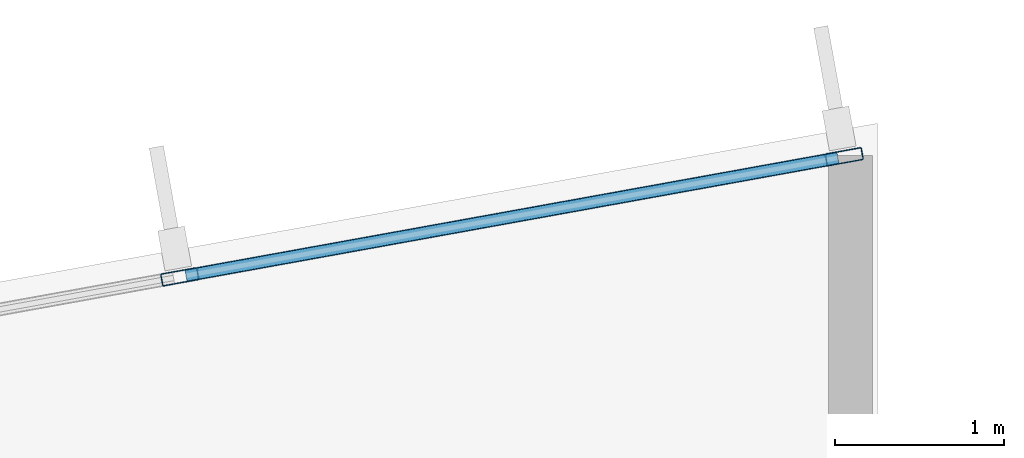
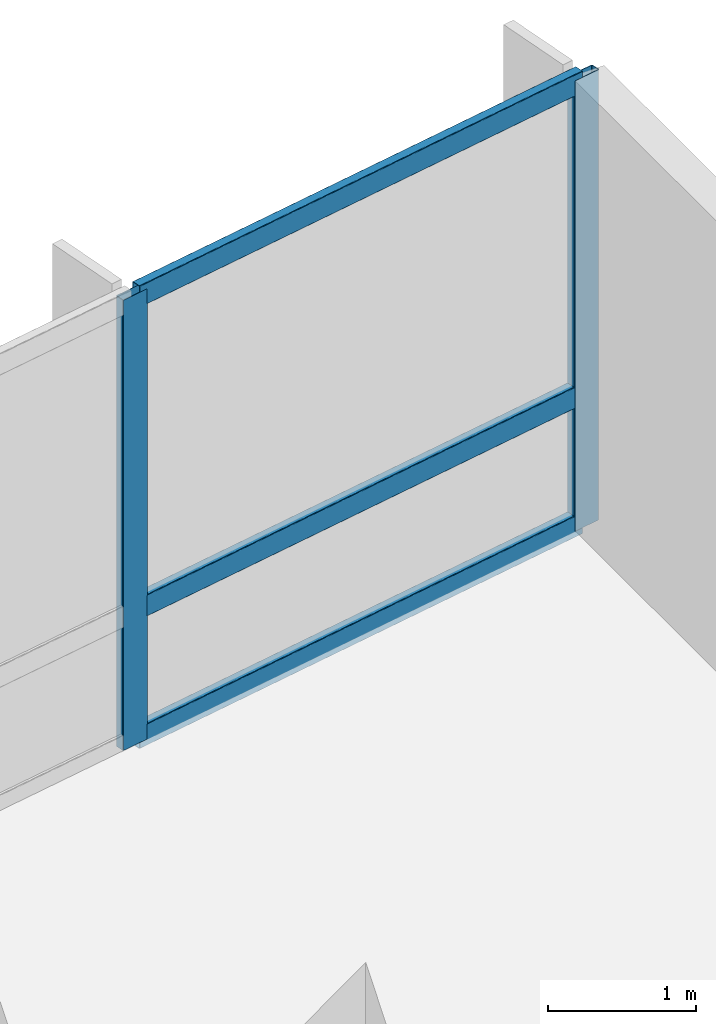
# One storey, part 11 of 21: 5 members, 1 element without a shape of its own.
"""IFC4 building model written with IfcOpenShell, lengths in metres."""

from ifc_helpers import new_model, si_unit, direction, frame, origin, origin_2d, place, context, subcontext, project, spatial, hollow_rectangle, extrude, material, layer, layer_set, material_profile, profile_set, type_object, element, aggregate, save


model = new_model("IFC4")

# Units and contexts
model_context = context("Model", 3, precision=1e-05, world=origin(), true_north=direction((0.0, 1.0)))
body_context = subcontext(model_context, "Body", "Model", "MODEL_VIEW")
ifc_project = project(units=[si_unit("LENGTHUNIT", "METRE"), si_unit("AREAUNIT", "SQUARE_METRE"), si_unit("VOLUMEUNIT", "CUBIC_METRE"), si_unit("PLANEANGLEUNIT", "RADIAN"), si_unit("MASSUNIT", "GRAM", prefix="KILO")], contexts=[model_context])

# Site, building, storey
site_placement = place(None, origin())
site = spatial("IfcSite", under=ifc_project, at=site_placement, CompositionType="ELEMENT")
building_placement = place(site_placement, origin())
building = spatial("IfcBuilding", under=site, at=building_placement, Name="Varnakote Quay Hospital", CompositionType="ELEMENT")
storey_placement = place(building_placement, frame((0.0, 0.0, 77.800048828125)))
storey = spatial("IfcBuildingStorey", under=building, at=storey_placement, Name="L19", CompositionType="ELEMENT", Elevation=77.800048828125)

# Curtain wall, members
ifc_material_1 = material(Name="Anodised aluminium 6063-T6 Bronze", Category="aluminium")
ifc_layer = layer(ifc_material_1, 0.18994140625)
ifc_layer_set = layer_set([ifc_layer], Name="Anodised aluminium 6063-T6 Bronze")
curtain_wall_type = type_object("IfcCurtainWallType", Name="CW-SYS-2", PredefinedType="NOTDEFINED", material=ifc_layer_set)
curtain_wall_placement = place(storey_placement, origin())
curtain_wall = element("IfcCurtainWall", 1, at=curtain_wall_placement, inside=storey, type_object=curtain_wall_type, Name="L19 Unitised Bronze Curtain Wall 2", PredefinedType="NOTDEFINED")
ifc_material_2 = material(Name="Anodised aluminium 6063-T6 Bronze", Category="aluminium")
ifc_material_profile_1 = material_profile(ifc_material_2, hollow_rectangle(XDim=0.074951171875, YDim=0.219970703125, WallThickness=0.00439453125, InnerFilletRadius=0.00439453125, OuterFilletRadius=0.009033203125, at=origin_2d()), Name="CW-MULL-220x75")
ifc_profile_set_1 = profile_set([ifc_material_profile_1], Name="Anodised aluminium 6063-T6 Bronze")
member_type_1 = type_object("IfcMemberType", Name="CW-MULL-220x75", PredefinedType="MULLION", material=ifc_profile_set_1)
member_1_placement = place(storey_placement, frame((55.403076171875, 34.201904296875, 0.0), z_axis=(0.0, 0.0, 1.0), x_axis=(0.177846199098, -0.984058295766, 0.0)))
member_1 = element("IfcMember", 2, at=member_1_placement, type_object=member_type_1, Name="-2-L19-2 mullion 1", PredefinedType="MULLION", context=body_context, shape_type="SweptSolid", body=[
    extrude(hollow_rectangle(XDim=0.074951171875, YDim=0.219970703125, WallThickness=0.00439453125, InnerFilletRadius=0.00439453125, OuterFilletRadius=0.009033203125, at=origin_2d()), origin(), (0.0, 0.0, 1.0), 3.7099609375),
])
member_2_placement = place(storey_placement, frame((51.477294921875, 33.492431640625, 0.0), z_axis=(0.0, 0.0, 1.0), x_axis=(0.177846199098, -0.984058295766, 0.0)))
member_2 = element("IfcMember", 3, at=member_2_placement, type_object=member_type_1, Name="-2-L19-2 mullion 2", PredefinedType="MULLION", context=body_context, shape_type="SweptSolid", body=[
    extrude(hollow_rectangle(XDim=0.074951171875, YDim=0.219970703125, WallThickness=0.00439453125, InnerFilletRadius=0.00439453125, OuterFilletRadius=0.009033203125, at=origin_2d()), origin(), (0.0, 0.0, 1.0), 3.7099609375),
])
ifc_material_3 = material(Name="Anodised aluminium 6063-T6 Bronze", Category="aluminium")
ifc_material_profile_2 = material_profile(ifc_material_3, hollow_rectangle(XDim=0.074951171875, YDim=0.179931640625, WallThickness=0.004150390625, InnerFilletRadius=0.004150390625, OuterFilletRadius=0.00830078125, at=origin_2d()), Name="CW-TRAN-180x75")
ifc_profile_set_2 = profile_set([ifc_material_profile_2], Name="Anodised aluminium 6063-T6 Bronze")
member_type_2 = type_object("IfcMemberType", Name="CW-TRAN-180x75", PredefinedType="USERDEFINED", material=ifc_profile_set_2)
member_3_placement = place(storey_placement, frame((55.3662109375, 34.195068359375, 0.037353515625), z_axis=(-0.984061948229, -0.177825988109, 0.0), x_axis=(0.177825988109, -0.984061948229, 0.0)))
member_3 = element("IfcMember", 4, at=member_3_placement, type_object=member_type_2, Name="-2-L19-2 transom 1.1", ObjectType="TRANSOM", PredefinedType="USERDEFINED", context=body_context, shape_type="SweptSolid", body=[
    extrude(hollow_rectangle(XDim=0.074951171875, YDim=0.179931640625, WallThickness=0.004150390625, InnerFilletRadius=0.004150390625, OuterFilletRadius=0.00830078125, at=origin_2d()), origin(), (0.0, 0.0, 1.0), 3.914306640625),
])
member_4_placement = place(storey_placement, frame((55.3662109375, 34.195068359375, 1.099853515625), z_axis=(-0.984061948229, -0.177825988109, 0.0), x_axis=(0.177825988109, -0.984061948229, 0.0)))
member_4 = element("IfcMember", 5, at=member_4_placement, type_object=member_type_2, Name="-2-L19-2 transom 1.2", ObjectType="TRANSOM", PredefinedType="USERDEFINED", context=body_context, shape_type="SweptSolid", body=[
    extrude(hollow_rectangle(XDim=0.074951171875, YDim=0.179931640625, WallThickness=0.004150390625, InnerFilletRadius=0.004150390625, OuterFilletRadius=0.00830078125, at=origin_2d()), origin(), (0.0, 0.0, 1.0), 3.914306640625),
])
member_5_placement = place(storey_placement, frame((55.3662109375, 34.195068359375, 3.67236328125), z_axis=(-0.984061948229, -0.177825988109, 0.0), x_axis=(0.177825988109, -0.984061948229, 0.0)))
member_5 = element("IfcMember", 6, at=member_5_placement, type_object=member_type_2, Name="-2-L19-2 transom 1.3", ObjectType="TRANSOM", PredefinedType="USERDEFINED", context=body_context, shape_type="SweptSolid", body=[
    extrude(hollow_rectangle(XDim=0.074951171875, YDim=0.179931640625, WallThickness=0.004150390625, InnerFilletRadius=0.004150390625, OuterFilletRadius=0.00830078125, at=origin_2d()), origin(), (0.0, 0.0, 1.0), 3.914306640625),
])
aggregate(curtain_wall, [member_1, member_2, member_3, member_4, member_5])

save(model, "model.ifc")
